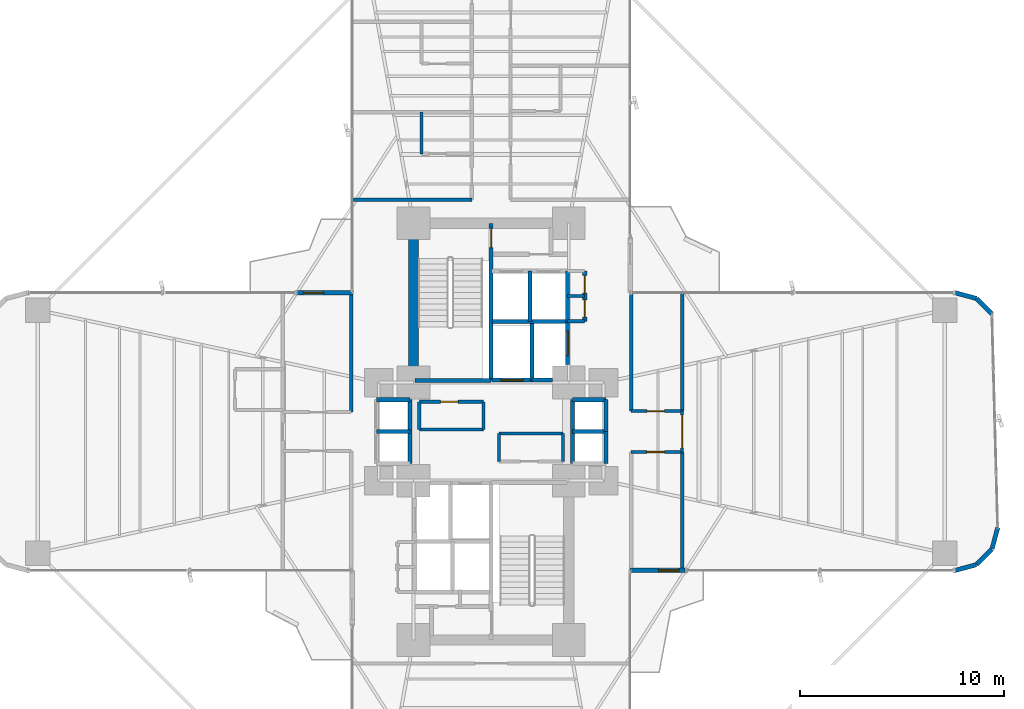
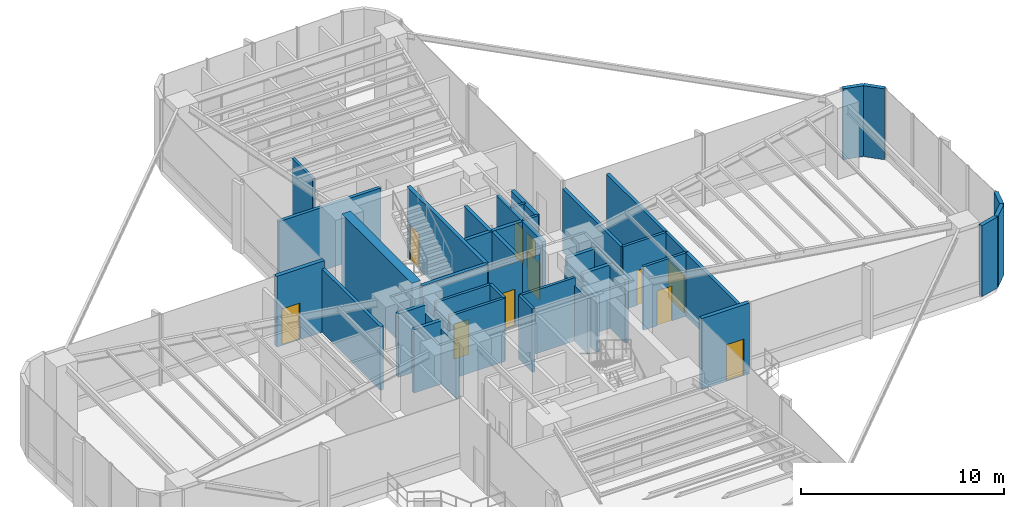
# One storey, part 17 of 20: 44 walls, 11 doors, 11 openings.
"""IFC4 building model written with IfcOpenShell, lengths in metres."""

from ifc_helpers import new_model, si_unit, direction, frame, frame_2d, origin, origin_2d, place, context, subcontext, project, spatial, rectangle, extrude, source, transform, mapped, material, layer, layer_set, type_object, element, fill, save


model = new_model("IFC4")

# Units and contexts
model_context = context("Model", 3, precision=1e-05, world=origin(), true_north=direction((0.0, 1.0)))
body_context = subcontext(model_context, "Body", "Model", "MODEL_VIEW")
ifc_project = project(units=[si_unit("LENGTHUNIT", "METRE"), si_unit("AREAUNIT", "SQUARE_METRE"), si_unit("VOLUMEUNIT", "CUBIC_METRE"), si_unit("PLANEANGLEUNIT", "RADIAN"), si_unit("MASSUNIT", "GRAM", prefix="KILO")], contexts=[model_context])

# Site, building, storey
site_placement = place(None, origin())
site = spatial("IfcSite", under=ifc_project, at=site_placement, CompositionType="ELEMENT")
building_placement = place(site_placement, origin())
building = spatial("IfcBuilding", under=site, at=building_placement, Name="Sahyath Konkavel Grand Hotel", CompositionType="ELEMENT")
storey_placement = place(building_placement, frame((0.0, 0.0, 46.550048828125)))
storey = spatial("IfcBuildingStorey", under=building, at=storey_placement, Name="L12", CompositionType="ELEMENT", Elevation=46.550048828125)

# Wall
ifc_material_1 = material(Name="Concrete C70/85", Category="concrete")
ifc_layer_1 = layer(ifc_material_1, 0.5)
ifc_layer_set_1 = layer_set([ifc_layer_1], Name="Concrete C70/85")
wall_type_1 = type_object("IfcWallType", Name="CWALL-500", PredefinedType="SHEAR", material=ifc_layer_set_1)
wall_1_placement = place(storey_placement, frame((-3.800048828125, 2.85009765625, 0.0), z_axis=(0.0, 0.0, 1.0), x_axis=(0.0, 1.0, 0.0)))
element("IfcWall", 1, at=wall_1_placement, inside=storey, type_object=wall_type_1, Name="L12 North Core Shear Wall W", PredefinedType="SHEAR", context=body_context, shape_type="SweptSolid", body=[
    extrude(rectangle(XDim=6.89990234375, YDim=0.5, at=frame_2d((3.449951171875, 0.0))), origin(), (0.0, 0.0, 1.0), 4.260009765625),
])

# Wall, opening, door
ifc_material_2 = material(Name="Warm Buff Sandstone Insulated Concrete C40/50", Category="masonry")
ifc_layer_2 = layer(ifc_material_2, 0.219970703125)
ifc_layer_set_2 = layer_set([ifc_layer_2], Name="Warm Buff Sandstone Insulated Concrete C40/50")
wall_type_2 = type_object("IfcWallType", Name="WLL-BALC-THRESH", PredefinedType="STANDARD", material=ifc_layer_set_2)
wall_2_placement = place(storey_placement, frame((6.800048828125, -6.800048828125, 0.0), z_axis=(0.0, 0.0, 1.0), x_axis=(1.0, 0.0, 0.0)))
wall_2 = element("IfcWall", 2, at=wall_2_placement, inside=storey, type_object=wall_type_2, Name="L12 Winter-Garden Threshold Wall 0", PredefinedType="STANDARD", context=body_context, shape_type="SweptSolid", body=[
    extrude(rectangle(XDim=2.699951171875, YDim=0.219970703125, at=frame_2d((1.35009765625, 0.0))), origin(), (0.0, 0.0, 1.0), 4.260009765625),
])
opening_1_placement = place(wall_2_placement, frame((1.39990234375, 0.0, 0.0)))
opening_1 = element("IfcOpeningElement", 3, at=opening_1_placement, cuts=wall_2, Name="Opening D-TR1", PredefinedType="OPENING", context=body_context, shape_type="SweptSolid", body=[
    extrude(rectangle(XDim=1.0, YDim=2.199951171875, at=frame_2d((0.5, 1.10009765625))), frame((0.0, 0.1201171875, 0.0), z_axis=(0.0, -1.0, 0.0), x_axis=(1.0, 0.0, 0.0)), (0.0, 0.0, 1.0), 0.239990234375),
])
ifc_material_3 = material(Name="Anodised Bronze Aluminium & Low-E Glazing", Category="aluminium")
door_type_1 = type_object("IfcDoorType", Name="DR-TERRACE-1000", OperationType="NOTDEFINED", PredefinedType="DOOR", material=ifc_material_3)
shared_shape_1 = source(origin(), body_context, "Body", "SweptSolid", [
    extrude(rectangle(XDim=1.0, YDim=0.050048828125, at=origin_2d()), origin(), (0.0, 0.0, 1.0), 2.199951171875),
])
door_1_placement = place(opening_1_placement, frame((0.5, 0.0, 0.0)))
door_1 = element("IfcDoor", 4, at=door_1_placement, inside=storey, type_object=door_type_1, Name="L12 Winter-Garden Terrace Door 0", OperationType="SINGLE_SWING_LEFT", OverallHeight=2.199951171875, OverallWidth=1.0, PredefinedType="DOOR", context=body_context, shape_type="MappedRepresentation", body=[
    mapped(shared_shape_1, transform((0.0, 0.0, 0.0), scale=1.0)),
])
fill(opening_1, door_1)

# Walls
for number, where, z_axis, x_axis, name in (
    (5, (22.699951171875, -6.800048828125, 0.0), (0.0, 0.0, 1.0), (0.965951058412, 0.25872485917, 0.0), "L12 Rounded Corner Sandstone Pier 1"),
    (6, (23.75, -6.518798828125, 0.0), (0.0, 0.0, 1.0), (0.707106781187, 0.707106781187, 0.0), "L12 Rounded Corner Sandstone Pier 2"),
    (7, (24.518798828125, -5.75, 0.0), (0.0, 0.0, 1.0), (0.25872485917, 0.965951058412, 0.0), "L12 Rounded Corner Sandstone Pier 3"),
    (8, (24.518798828125, 5.75, 0.0), (0.0, 0.0, 1.0), (-0.707106781187, 0.707106781187, 0.0), "L12 Rounded Corner Sandstone Pier 5"),
    (9, (23.75, 6.518798828125, 0.0), (0.0, 0.0, 1.0), (-0.965951058412, 0.25872485917, 0.0), "L12 Rounded Corner Sandstone Pier 6"),
):
    element("IfcWall", number, at=place(storey_placement, frame(where, z_axis=z_axis, x_axis=x_axis)), inside=storey, type_object=wall_type_2, Name=name, PredefinedType="STANDARD", context=body_context, shape_type="SweptSolid", body=[
        extrude(rectangle(XDim=1.087158203125, YDim=0.219970703125, at=frame_2d((0.54345703125, 0.0))), origin(), (0.0, 0.0, 1.0), 4.260009765625),
    ])

# Wall, opening, door
wall_3_placement = place(storey_placement, frame((-6.800048828125, 6.800048828125, 0.0), z_axis=(0.0, 0.0, 1.0), x_axis=(-1.0, 0.0, 0.0)))
wall_3 = element("IfcWall", 10, at=wall_3_placement, inside=storey, type_object=wall_type_2, Name="L12 Winter-Garden Threshold Wall 16", PredefinedType="STANDARD", context=body_context, shape_type="SweptSolid", body=[
    extrude(rectangle(XDim=2.699951171875, YDim=0.219970703125, at=frame_2d((1.35009765625, 0.0))), origin(), (0.0, 0.0, 1.0), 4.260009765625),
])
opening_2_placement = place(wall_3_placement, frame((1.39990234375, 0.0, 0.0)))
opening_2 = element("IfcOpeningElement", 11, at=opening_2_placement, cuts=wall_3, Name="Opening D-TR1", PredefinedType="OPENING", context=body_context, shape_type="SweptSolid", body=[
    extrude(rectangle(XDim=1.0, YDim=2.199951171875, at=frame_2d((0.5, 1.10009765625))), frame((0.0, 0.1201171875, 0.0), z_axis=(0.0, -1.0, 0.0), x_axis=(1.0, 0.0, 0.0)), (0.0, 0.0, 1.0), 0.239990234375),
])
door_2_placement = place(opening_2_placement, frame((0.5, 0.0, 0.0)))
door_2 = element("IfcDoor", 12, at=door_2_placement, inside=storey, type_object=door_type_1, Name="L12 Winter-Garden Terrace Door 16", OperationType="SINGLE_SWING_LEFT", OverallHeight=2.199951171875, OverallWidth=1.0, PredefinedType="DOOR", context=body_context, shape_type="MappedRepresentation", body=[
    mapped(shared_shape_1, transform((0.0, 0.0, 0.0), scale=1.0)),
])
fill(opening_2, door_2)

ifc_material_4 = material(Name="Concrete C40/50", Category="concrete")
ifc_layer_3 = layer(ifc_material_4, 0.199951171875)
ifc_layer_set_3 = layer_set([ifc_layer_3], Name="Concrete C40/50")
wall_type_3 = type_object("IfcWallType", Name="WLL-CORE-200", PredefinedType="SOLIDWALL", material=ifc_layer_set_3)
wall_4_placement = place(storey_placement, frame((0.0, 2.5, 0.0), z_axis=(0.0, 0.0, 1.0), x_axis=(0.0, 1.0, 0.0)))
wall_4 = element("IfcWall", 13, at=wall_4_placement, inside=storey, type_object=wall_type_3, Name="L12 Stair ST-1 Shaft Wall E", PredefinedType="SOLIDWALL", context=body_context, shape_type="SweptSolid", body=[
    extrude(rectangle(XDim=7.679931640625, YDim=0.199951171875, at=frame_2d((3.83984375, 0.0))), origin(), (0.0, 0.0, 1.0), 4.260009765625),
])
opening_3_placement = place(wall_4_placement, frame((6.5, 0.0, 0.0)))
opening_3 = element("IfcOpeningElement", 14, at=opening_3_placement, cuts=wall_4, Name="Opening D-F12C", PredefinedType="OPENING", context=body_context, shape_type="SweptSolid", body=[
    extrude(rectangle(XDim=0.949951171875, YDim=2.14990234375, at=frame_2d((0.47509765625, 1.074951171875))), frame((0.0, 0.10986328125, 0.0), z_axis=(0.0, -1.0, 0.0), x_axis=(1.0, 0.0, 0.0)), (0.0, 0.0, 1.0), 0.219970703125),
])
ifc_material_5 = material(Name="Steel E350 Plant Fire Door", Category="steel")
door_type_2 = type_object("IfcDoorType", Name="DR-FD120-950", OperationType="NOTDEFINED", PredefinedType="DOOR", material=ifc_material_5)
shared_shape_2 = source(origin(), body_context, "Body", "SweptSolid", [
    extrude(rectangle(XDim=0.949951171875, YDim=0.050048828125, at=origin_2d()), origin(), (0.0, 0.0, 1.0), 2.14990234375),
])
door_3_placement = place(opening_3_placement, frame((0.47509765625, 0.0, 0.0)))
door_3 = element("IfcDoor", 15, at=door_3_placement, inside=storey, type_object=door_type_2, Name="L12 Stair ST-1 Fire Door", OperationType="SINGLE_SWING_RIGHT", OverallHeight=2.14990234375, OverallWidth=0.949951171875, PredefinedType="DOOR", context=body_context, shape_type="MappedRepresentation", body=[
    mapped(shared_shape_2, transform((0.0, 0.0, 0.0), scale=1.0)),
])
fill(opening_3, door_3)

# Walls
wall_5_placement = place(storey_placement, frame((-3.719970703125, 2.5, 0.0), z_axis=(0.0, 0.0, 1.0), x_axis=(1.0, 0.0, 0.0)))
element("IfcWall", 16, at=wall_5_placement, inside=storey, type_object=wall_type_3, Name="L12 Stair ST-1 Shaft Wall S", PredefinedType="SOLIDWALL", context=body_context, shape_type="SweptSolid", body=[
    extrude(rectangle(XDim=3.719970703125, YDim=0.199951171875, at=frame_2d((1.85986328125, 0.0))), origin(), (0.0, 0.0, 1.0), 4.260009765625),
])
wall_6_placement = place(storey_placement, frame((2.0, 2.5, 0.0), z_axis=(0.0, 0.0, 1.0), x_axis=(0.0, 1.0, 0.0)))
element("IfcWall", 17, at=wall_6_placement, inside=storey, type_object=wall_type_3, Name="L12 Partition SH-FFL1-E", PredefinedType="SOLIDWALL", context=body_context, shape_type="SweptSolid", body=[
    extrude(rectangle(XDim=2.780029296875, YDim=0.199951171875, at=frame_2d((1.39013671875, 0.0))), origin(), (0.0, 0.0, 1.0), 3.81005859375),
])

# Wall, opening, door
wall_7_placement = place(storey_placement, frame((0.050048828125, 2.52001953125, 0.0), z_axis=(0.0, 0.0, 1.0), x_axis=(1.0, 0.0, 0.0)))
wall_7 = element("IfcWall", 18, at=wall_7_placement, inside=storey, type_object=wall_type_3, Name="L12 Partition SH-FFL1-S", PredefinedType="SOLIDWALL", context=body_context, shape_type="SweptSolid", body=[
    extrude(rectangle(XDim=1.949951171875, YDim=0.199951171875, at=frame_2d((0.97509765625, 0.0))), origin(), (0.0, 0.0, 1.0), 3.81005859375),
])
opening_4_placement = place(wall_7_placement, frame((0.419921875, 0.0, 0.0)))
opening_4 = element("IfcOpeningElement", 19, at=opening_4_placement, cuts=wall_7, Name="Opening LD-11", PredefinedType="OPENING", context=body_context, shape_type="SweptSolid", body=[
    extrude(rectangle(XDim=1.10009765625, YDim=2.199951171875, at=frame_2d((0.550048828125, 1.10009765625))), frame((0.0, 0.10986328125, 0.0), z_axis=(0.0, -1.0, 0.0), x_axis=(1.0, 0.0, 0.0)), (0.0, 0.0, 1.0), 0.219970703125),
])
ifc_material_6 = material(Name="Bronze Lift Landing Door 1100")
door_type_3 = type_object("IfcDoorType", Name="DR-LIFT-1100", OperationType="DOUBLE_DOOR_SLIDING", PredefinedType="DOOR", material=ifc_material_6)
shared_shape_3 = source(origin(), body_context, "Body", "SweptSolid", [
    extrude(rectangle(XDim=1.10009765625, YDim=0.050048828125, at=origin_2d()), origin(), (0.0, 0.0, 1.0), 2.199951171875),
])
door_4_placement = place(opening_4_placement, frame((0.550048828125, 0.0, 0.0)))
door_4 = element("IfcDoor", 20, at=door_4_placement, inside=storey, type_object=door_type_3, Name="L12 Lift FFL-1 Landing Door", OperationType="DOUBLE_DOOR_SLIDING", OverallHeight=2.199951171875, OverallWidth=1.10009765625, PredefinedType="DOOR", context=body_context, shape_type="MappedRepresentation", body=[
    mapped(shared_shape_3, transform((0.0, 0.0, 0.0), scale=1.0)),
])
fill(opening_4, door_4)

# Wall
wall_8_placement = place(storey_placement, frame((2.0, 2.52001953125, 0.0), z_axis=(0.0, 0.0, 1.0), x_axis=(1.0, 0.0, 0.0)))
element("IfcWall", 21, at=wall_8_placement, inside=storey, type_object=wall_type_3, Name="L12 Partition SH-SVL1-S", PredefinedType="SOLIDWALL", context=body_context, shape_type="SweptSolid", body=[
    extrude(rectangle(XDim=1.0, YDim=0.199951171875, at=frame_2d((0.5, 0.0))), origin(), (0.0, 0.0, 1.0), 3.81005859375),
])

# Wall, opening, door
wall_9_placement = place(storey_placement, frame((3.739990234375, 3.280029296875, 0.0), z_axis=(0.0, 0.0, 1.0), x_axis=(0.0, 1.0, 0.0)))
wall_9 = element("IfcWall", 22, at=wall_9_placement, inside=storey, type_object=wall_type_3, Name="L12 Partition SH-SVL1-E", PredefinedType="SOLIDWALL", context=body_context, shape_type="SweptSolid", body=[
    extrude(rectangle(XDim=2.080078125, YDim=0.199951171875, at=frame_2d((1.0400390625, 0.0))), origin(), (0.0, 0.0, 1.0), 3.81005859375),
])
opening_5_placement = place(wall_9_placement, frame((0.43994140625, 0.0, 0.0)))
opening_5 = element("IfcOpeningElement", 23, at=opening_5_placement, cuts=wall_9, Name="Opening LD-12", PredefinedType="OPENING", context=body_context, shape_type="SweptSolid", body=[
    extrude(rectangle(XDim=1.199951171875, YDim=2.199951171875, at=frame_2d((0.60009765625, 1.10009765625))), frame((0.0, 0.10986328125, 0.0), z_axis=(0.0, -1.0, 0.0), x_axis=(1.0, 0.0, 0.0)), (0.0, 0.0, 1.0), 0.219970703125),
])
ifc_material_7 = material(Name="Stainless Steel Lift Landing Door 1200", Category="steel")
door_type_4 = type_object("IfcDoorType", Name="DR-LIFT-1200", OperationType="DOUBLE_DOOR_SLIDING", PredefinedType="DOOR", material=ifc_material_7)
shared_shape_4 = source(origin(), body_context, "Body", "SweptSolid", [
    extrude(rectangle(XDim=1.199951171875, YDim=0.050048828125, at=origin_2d()), origin(), (0.0, 0.0, 1.0), 2.199951171875),
])
door_5_placement = place(opening_5_placement, frame((0.60009765625, 0.0, 0.0)))
door_5 = element("IfcDoor", 24, at=door_5_placement, inside=storey, type_object=door_type_4, Name="L12 Service Lift SVL-1 Landing Door", OperationType="DOUBLE_DOOR_SLIDING", OverallHeight=2.199951171875, OverallWidth=1.199951171875, PredefinedType="DOOR", context=body_context, shape_type="MappedRepresentation", body=[
    mapped(shared_shape_4, transform((0.0, 0.0, 0.0), scale=1.0)),
])
fill(opening_5, door_5)

# Walls
wall_10_placement = place(storey_placement, frame((0.050048828125, 5.3798828125, 0.0), z_axis=(0.0, 0.0, 1.0), x_axis=(1.0, 0.0, 0.0)))
element("IfcWall", 25, at=wall_10_placement, inside=storey, type_object=wall_type_3, Name="L12 Partition SH-PL12-S", PredefinedType="SOLIDWALL", context=body_context, shape_type="SweptSolid", body=[
    extrude(rectangle(XDim=3.68994140625, YDim=0.199951171875, at=frame_2d((1.844970703125, 0.0))), origin(), (0.0, 0.0, 1.0), 3.81005859375),
])
for number, where, z_axis, x_axis, name in (
    (26, (1.89990234375, 5.3798828125, 0.0), (0.0, 0.0, 1.0), (0.0, 1.0, 0.0), "L12 Partition SH-PL12-M"),
    (27, (3.739990234375, 5.3798828125, 0.0), (0.0, 0.0, 1.0), (0.0, 1.0, 0.0), "L12 Partition SH-PL2-E"),
):
    element("IfcWall", number, at=place(storey_placement, frame(where, z_axis=z_axis, x_axis=x_axis)), inside=storey, type_object=wall_type_3, Name=name, PredefinedType="SOLIDWALL", context=body_context, shape_type="SweptSolid", body=[
        extrude(rectangle(XDim=2.480224609375, YDim=0.199951171875, at=frame_2d((1.240234375, 0.0))), origin(), (0.0, 0.0, 1.0), 3.81005859375),
    ])
wall_11_placement = place(storey_placement, frame((3.97998046875, -1.56005859375, 0.0), z_axis=(0.0, 0.0, 1.0), x_axis=(0.0, 1.0, 0.0)))
element("IfcWall", 28, at=wall_11_placement, inside=storey, type_object=wall_type_3, Name="L12 Partition SH-PL56-W", PredefinedType="SOLIDWALL", context=body_context, shape_type="SweptSolid", body=[
    extrude(rectangle(XDim=3.1201171875, YDim=0.199951171875, at=frame_2d((1.56005859375, 0.0))), origin(), (0.0, 0.0, 1.0), 3.329833984375),
])
for number, where, z_axis, x_axis, name in (
    (29, (3.97998046875, 1.56005859375, 0.0), (0.0, 0.0, 1.0), (1.0, 0.0, 0.0), "L12 Partition SH-PL56-N"),
    (30, (3.97998046875, 0.0, 0.0), (0.0, 0.0, 1.0), (1.0, 0.0, 0.0), "L12 Partition SH-PL56-M"),
):
    element("IfcWall", number, at=place(storey_placement, frame(where, z_axis=z_axis, x_axis=x_axis)), inside=storey, type_object=wall_type_3, Name=name, PredefinedType="SOLIDWALL", context=body_context, shape_type="SweptSolid", body=[
        extrude(rectangle(XDim=1.64013671875, YDim=0.199951171875, at=frame_2d((0.820068359375, 0.0))), origin(), (0.0, 0.0, 1.0), 3.81005859375),
    ])
for number, where, z_axis, x_axis, name in (
    (31, (5.6201171875, 0.0, 0.0), (0.0, 0.0, 1.0), (0.0, 1.0, 0.0), "L12 Partition SH-PL5-E"),
    (32, (5.6201171875, -1.56005859375, 0.0), (0.0, 0.0, 1.0), (0.0, 1.0, 0.0), "L12 Partition SH-PL6-E"),
):
    element("IfcWall", number, at=place(storey_placement, frame(where, z_axis=z_axis, x_axis=x_axis)), inside=storey, type_object=wall_type_3, Name=name, PredefinedType="SOLIDWALL", context=body_context, shape_type="SweptSolid", body=[
        extrude(rectangle(XDim=1.56005859375, YDim=0.199951171875, at=frame_2d((0.780029296875, 0.0))), origin(), (0.0, 0.0, 1.0), 3.81005859375),
    ])
wall_12_placement = place(storey_placement, frame((-3.97998046875, -1.56005859375, 0.0), z_axis=(0.0, 0.0, 1.0), x_axis=(0.0, 1.0, 0.0)))
element("IfcWall", 33, at=wall_12_placement, inside=storey, type_object=wall_type_3, Name="L12 Partition SH-SL12-E", PredefinedType="SOLIDWALL", context=body_context, shape_type="SweptSolid", body=[
    extrude(rectangle(XDim=3.1201171875, YDim=0.199951171875, at=frame_2d((1.56005859375, 0.0))), origin(), (0.0, 0.0, 1.0), 3.329833984375),
])
for number, where, z_axis, x_axis, name in (
    (34, (-5.6201171875, 1.56005859375, 0.0), (0.0, 0.0, 1.0), (1.0, 0.0, 0.0), "L12 Partition SH-SL12-N"),
    (35, (-5.6201171875, 0.0, 0.0), (0.0, 0.0, 1.0), (1.0, 0.0, 0.0), "L12 Partition SH-SL12-M"),
):
    element("IfcWall", number, at=place(storey_placement, frame(where, z_axis=z_axis, x_axis=x_axis)), inside=storey, type_object=wall_type_3, Name=name, PredefinedType="SOLIDWALL", context=body_context, shape_type="SweptSolid", body=[
        extrude(rectangle(XDim=1.64013671875, YDim=0.199951171875, at=frame_2d((0.820068359375, 0.0))), origin(), (0.0, 0.0, 1.0), 3.81005859375),
    ])

# Wall, openings, doors
wall_13_placement = place(storey_placement, frame((4.580078125, 5.39990234375, 0.0), z_axis=(0.0, 0.0, 1.0), x_axis=(0.0, 1.0, 0.0)))
wall_13 = element("IfcWall", 36, at=wall_13_placement, inside=storey, type_object=wall_type_3, Name="L12 Partition NC-FLK-E", PredefinedType="SOLIDWALL", context=body_context, shape_type="SweptSolid", body=[
    extrude(rectangle(XDim=2.460205078125, YDim=0.199951171875, at=frame_2d((1.22998046875, 0.0))), origin(), (0.0, 0.0, 1.0), 3.81005859375),
])
opening_6_placement = place(wall_13_placement, frame((0.199951171875, 0.0, 0.0)))
opening_6 = element("IfcOpeningElement", 37, at=opening_6_placement, cuts=wall_13, Name="Opening D-F06D", PredefinedType="OPENING", context=body_context, shape_type="SweptSolid", body=[
    extrude(rectangle(XDim=0.85009765625, YDim=2.10009765625, at=frame_2d((0.425048828125, 1.050048828125))), frame((0.0, 0.10986328125, 0.0), z_axis=(0.0, -1.0, 0.0), x_axis=(1.0, 0.0, 0.0)), (0.0, 0.0, 1.0), 0.219970703125),
])
opening_7_placement = place(wall_13_placement, frame((1.3798828125, 0.0, 0.0)))
opening_7 = element("IfcOpeningElement", 38, at=opening_7_placement, cuts=wall_13, Name="Opening D-F06D", PredefinedType="OPENING", context=body_context, shape_type="SweptSolid", body=[
    extrude(rectangle(XDim=0.85009765625, YDim=2.10009765625, at=frame_2d((0.425048828125, 1.050048828125))), frame((0.0, 0.10986328125, 0.0), z_axis=(0.0, -1.0, 0.0), x_axis=(1.0, 0.0, 0.0)), (0.0, 0.0, 1.0), 0.219970703125),
])
ifc_material_8 = material(Name="Fire-Rated Shaft Access Door")
door_type_5 = type_object("IfcDoorType", Name="DR-FD60-850", OperationType="NOTDEFINED", PredefinedType="DOOR", material=ifc_material_8)
shared_shape_5 = source(origin(), body_context, "Body", "SweptSolid", [
    extrude(rectangle(XDim=0.85009765625, YDim=0.050048828125, at=origin_2d()), origin(), (0.0, 0.0, 1.0), 2.10009765625),
])
door_6_placement = place(opening_6_placement, frame((0.425048828125, 0.0, 0.0)))
door_6 = element("IfcDoor", 39, at=door_6_placement, inside=storey, type_object=door_type_5, Name="L12 Door NC-FLK1-D", OperationType="SINGLE_SWING_LEFT", OverallHeight=2.10009765625, OverallWidth=0.85009765625, PredefinedType="DOOR", context=body_context, shape_type="MappedRepresentation", body=[
    mapped(shared_shape_5, transform((0.0, 0.0, 0.0), scale=1.0)),
])
fill(opening_6, door_6)
door_7_placement = place(opening_7_placement, frame((0.425048828125, 0.0, 0.0)))
door_7 = element("IfcDoor", 40, at=door_7_placement, inside=storey, type_object=door_type_5, Name="L12 Door NC-FLK2-D", OperationType="SINGLE_SWING_RIGHT", OverallHeight=2.10009765625, OverallWidth=0.85009765625, PredefinedType="DOOR", context=body_context, shape_type="MappedRepresentation", body=[
    mapped(shared_shape_5, transform((0.0, 0.0, 0.0), scale=1.0)),
])
fill(opening_7, door_7)

# Walls
ifc_material_9 = material(Name="Twin-Stud Acoustic Gypsum Plasterboard Partition")
ifc_layer_4 = layer(ifc_material_9, 0.179931640625)
ifc_layer_set_4 = layer_set([ifc_layer_4], Name="Twin-Stud Acoustic Gypsum Plasterboard Partition")
wall_type_4 = type_object("IfcWallType", Name="WLL-DEMISE-180", PredefinedType="PARTITIONING", material=ifc_layer_set_4)
for number, where, z_axis, x_axis, name in (
    (41, (6.85009765625, 1.0, 0.0), (0.0, 0.0, 1.0), (0.0, 1.0, 0.0), "L12 Partition E-I0L"),
    (42, (9.35009765625, -1.0, 0.0), (0.0, 0.0, 1.0), (0.0, -1.0, 0.0), "L12 Partition E-EHK0-DEM"),
    (43, (9.35009765625, 1.0, 0.0), (0.0, 0.0, 1.0), (0.0, 1.0, 0.0), "L12 Partition E-EST0-DEM"),
):
    element("IfcWall", number, at=place(storey_placement, frame(where, z_axis=z_axis, x_axis=x_axis)), inside=storey, type_object=wall_type_4, Name=name, PredefinedType="PARTITIONING", context=body_context, shape_type="SweptSolid", body=[
        extrude(rectangle(XDim=5.75, YDim=0.179931640625, at=frame_2d((2.875, 0.0))), origin(), (0.0, 0.0, 1.0), 3.81005859375),
    ])
for number, where, z_axis, x_axis, name in (
    (44, (-0.949951171875, 11.35009765625, 0.0), (0.0, 0.0, 1.0), (-1.0, 0.0, 0.0), "L12 Partition N-INL"),
    (45, (-6.85009765625, 6.75, 0.0), (0.0, 0.0, 1.0), (0.0, -1.0, 0.0), "L12 Partition W-INR"),
):
    element("IfcWall", number, at=place(storey_placement, frame(where, z_axis=z_axis, x_axis=x_axis)), inside=storey, type_object=wall_type_4, Name=name, PredefinedType="PARTITIONING", context=body_context, shape_type="SweptSolid", body=[
        extrude(rectangle(XDim=5.800048828125, YDim=0.179931640625, at=frame_2d((2.89990234375, 0.0))), origin(), (0.0, 0.0, 1.0), 3.81005859375),
    ])
ifc_material_10 = material(Name="Fire-Rated Gypsum Plasterboard Partition")
ifc_layer_5 = layer(ifc_material_10, 0.14990234375)
ifc_layer_set_5 = layer_set([ifc_layer_5], Name="Fire-Rated Gypsum Plasterboard Partition")
wall_type_5 = type_object("IfcWallType", Name="WLL-PART-150", PredefinedType="PARTITIONING", material=ifc_layer_set_5)
for number, where, z_axis, x_axis, name in (
    (46, (3.739990234375, 5.39990234375, 0.0), (0.0, 0.0, 1.0), (1.0, 0.0, 0.0), "L12 Partition NC-FLK-S"),
    (47, (3.739990234375, 6.6298828125, 0.0), (0.0, 0.0, 1.0), (1.0, 0.0, 0.0), "L12 Partition NC-FLK-M"),
):
    element("IfcWall", number, at=place(storey_placement, frame(where, z_axis=z_axis, x_axis=x_axis)), inside=storey, type_object=wall_type_5, Name=name, PredefinedType="PARTITIONING", context=body_context, shape_type="SweptSolid", body=[
        extrude(rectangle(XDim=0.840087890625, YDim=0.14990234375, at=frame_2d((0.419921875, 0.0))), origin(), (0.0, 0.0, 1.0), 3.81005859375),
    ])
wall_14_placement = place(storey_placement, frame((-3.52001953125, 0.10009765625, 0.0), z_axis=(0.0, 0.0, 1.0), x_axis=(1.0, 0.0, 0.0)))
element("IfcWall", 48, at=wall_14_placement, inside=storey, type_object=wall_type_5, Name="L12 Partition CC-3NWS", PredefinedType="PARTITIONING", context=body_context, shape_type="SweptSolid", body=[
    extrude(rectangle(XDim=3.14013671875, YDim=0.14990234375, at=frame_2d((1.570068359375, 0.0))), origin(), (0.0, 0.0, 1.0), 3.81005859375),
])

# Wall, opening, door
wall_15_placement = place(storey_placement, frame((-3.52001953125, 1.4599609375, 0.0), z_axis=(0.0, 0.0, 1.0), x_axis=(1.0, 0.0, 0.0)))
wall_15 = element("IfcWall", 49, at=wall_15_placement, inside=storey, type_object=wall_type_5, Name="L12 Partition CC-3NWN", PredefinedType="PARTITIONING", context=body_context, shape_type="SweptSolid", body=[
    extrude(rectangle(XDim=3.14013671875, YDim=0.14990234375, at=frame_2d((1.570068359375, 0.0))), origin(), (0.0, 0.0, 1.0), 3.81005859375),
])
opening_8_placement = place(wall_15_placement, frame((1.050048828125, 0.0, 0.0)))
opening_8 = element("IfcOpeningElement", 50, at=opening_8_placement, cuts=wall_15, Name="Opening D-F06D", PredefinedType="OPENING", context=body_context, shape_type="SweptSolid", body=[
    extrude(rectangle(XDim=0.85009765625, YDim=2.10009765625, at=frame_2d((0.425048828125, 1.050048828125))), frame((0.0, 0.0849609375, 0.0), z_axis=(0.0, -1.0, 0.0), x_axis=(1.0, 0.0, 0.0)), (0.0, 0.0, 1.0), 0.169921875),
])
door_8_placement = place(opening_8_placement, frame((0.425048828125, 0.0, 0.0)))
door_8 = element("IfcDoor", 51, at=door_8_placement, inside=storey, type_object=door_type_5, Name="L12 Door CC-D3NW", OperationType="SINGLE_SWING_LEFT", OverallHeight=2.10009765625, OverallWidth=0.85009765625, PredefinedType="DOOR", context=body_context, shape_type="MappedRepresentation", body=[
    mapped(shared_shape_5, transform((0.0, 0.0, 0.0), scale=1.0)),
])
fill(opening_8, door_8)

# Walls
wall_16_placement = place(storey_placement, frame((-3.52001953125, 0.10009765625, 0.0), z_axis=(0.0, 0.0, 1.0), x_axis=(0.0, 1.0, 0.0)))
element("IfcWall", 52, at=wall_16_placement, inside=storey, type_object=wall_type_5, Name="L12 Partition CC-3NWW", PredefinedType="PARTITIONING", context=body_context, shape_type="SweptSolid", body=[
    extrude(rectangle(XDim=1.35986328125, YDim=0.14990234375, at=frame_2d((0.679931640625, 0.0))), origin(), (0.0, 0.0, 1.0), 3.329833984375),
])
wall_17_placement = place(storey_placement, frame((-0.3798828125, 0.10009765625, 0.0), z_axis=(0.0, 0.0, 1.0), x_axis=(0.0, 1.0, 0.0)))
element("IfcWall", 53, at=wall_17_placement, inside=storey, type_object=wall_type_5, Name="L12 Partition CC-3NWE", PredefinedType="PARTITIONING", context=body_context, shape_type="SweptSolid", body=[
    extrude(rectangle(XDim=1.35986328125, YDim=0.14990234375, at=frame_2d((0.679931640625, 0.0))), origin(), (0.0, 0.0, 1.0), 3.81005859375),
])
wall_18_placement = place(storey_placement, frame((0.3798828125, -0.10009765625, 0.0), z_axis=(0.0, 0.0, 1.0), x_axis=(1.0, 0.0, 0.0)))
element("IfcWall", 54, at=wall_18_placement, inside=storey, type_object=wall_type_5, Name="L12 Partition CC-3SEN", PredefinedType="PARTITIONING", context=body_context, shape_type="SweptSolid", body=[
    extrude(rectangle(XDim=3.14013671875, YDim=0.14990234375, at=frame_2d((1.570068359375, 0.0))), origin(), (0.0, 0.0, 1.0), 3.81005859375),
])
wall_19_placement = place(storey_placement, frame((0.3798828125, -1.4599609375, 0.0), z_axis=(0.0, 0.0, 1.0), x_axis=(0.0, 1.0, 0.0)))
element("IfcWall", 55, at=wall_19_placement, inside=storey, type_object=wall_type_5, Name="L12 Partition CC-3SEW", PredefinedType="PARTITIONING", context=body_context, shape_type="SweptSolid", body=[
    extrude(rectangle(XDim=1.35986328125, YDim=0.14990234375, at=frame_2d((0.679931640625, 0.0))), origin(), (0.0, 0.0, 1.0), 3.81005859375),
])
wall_20_placement = place(storey_placement, frame((3.52001953125, -1.4599609375, 0.0), z_axis=(0.0, 0.0, 1.0), x_axis=(0.0, 1.0, 0.0)))
element("IfcWall", 56, at=wall_20_placement, inside=storey, type_object=wall_type_5, Name="L12 Partition CC-3SEE", PredefinedType="PARTITIONING", context=body_context, shape_type="SweptSolid", body=[
    extrude(rectangle(XDim=1.35986328125, YDim=0.14990234375, at=frame_2d((0.679931640625, 0.0))), origin(), (0.0, 0.0, 1.0), 3.329833984375),
])

# Wall, opening, door
wall_21_placement = place(storey_placement, frame((6.85009765625, 1.0, 0.0), z_axis=(0.0, 0.0, 1.0), x_axis=(1.0, 0.0, 0.0)))
wall_21 = element("IfcWall", 57, at=wall_21_placement, inside=storey, type_object=wall_type_5, Name="L12 Partition E-C0L", PredefinedType="PARTITIONING", context=body_context, shape_type="SweptSolid", body=[
    extrude(rectangle(XDim=2.5, YDim=0.14990234375, at=frame_2d((1.25, 0.0))), origin(), (0.0, 0.0, 1.0), 3.81005859375),
])
opening_9_placement = place(wall_21_placement, frame((0.77490234375, 0.0, 0.0)))
opening_9 = element("IfcOpeningElement", 58, at=opening_9_placement, cuts=wall_21, Name="Opening D-F06D", PredefinedType="OPENING", context=body_context, shape_type="SweptSolid", body=[
    extrude(rectangle(XDim=0.85009765625, YDim=2.10009765625, at=frame_2d((0.425048828125, 1.050048828125))), frame((0.0, 0.0849609375, 0.0), z_axis=(0.0, -1.0, 0.0), x_axis=(1.0, 0.0, 0.0)), (0.0, 0.0, 1.0), 0.169921875),
])
door_9_placement = place(opening_9_placement, frame((0.425048828125, 0.0, 0.0)))
door_9 = element("IfcDoor", 59, at=door_9_placement, inside=storey, type_object=door_type_5, Name="L12 Door E-EST0-D", OperationType="SINGLE_SWING_RIGHT", OverallHeight=2.10009765625, OverallWidth=0.85009765625, PredefinedType="DOOR", context=body_context, shape_type="MappedRepresentation", body=[
    mapped(shared_shape_5, transform((0.0, 0.0, 0.0), scale=1.0)),
])
fill(opening_9, door_9)

wall_22_placement = place(storey_placement, frame((6.85009765625, -1.0, 0.0), z_axis=(0.0, 0.0, 1.0), x_axis=(1.0, 0.0, 0.0)))
wall_22 = element("IfcWall", 60, at=wall_22_placement, inside=storey, type_object=wall_type_5, Name="L12 Partition E-C0R", PredefinedType="PARTITIONING", context=body_context, shape_type="SweptSolid", body=[
    extrude(rectangle(XDim=2.5, YDim=0.14990234375, at=frame_2d((1.25, 0.0))), origin(), (0.0, 0.0, 1.0), 3.81005859375),
])
opening_10_placement = place(wall_22_placement, frame((0.77490234375, 0.0, 0.0)))
opening_10 = element("IfcOpeningElement", 61, at=opening_10_placement, cuts=wall_22, Name="Opening D-F06D", PredefinedType="OPENING", context=body_context, shape_type="SweptSolid", body=[
    extrude(rectangle(XDim=0.85009765625, YDim=2.10009765625, at=frame_2d((0.425048828125, 1.050048828125))), frame((0.0, 0.0849609375, 0.0), z_axis=(0.0, -1.0, 0.0), x_axis=(1.0, 0.0, 0.0)), (0.0, 0.0, 1.0), 0.169921875),
])
door_10_placement = place(opening_10_placement, frame((0.425048828125, 0.0, 0.0)))
door_10 = element("IfcDoor", 62, at=door_10_placement, inside=storey, type_object=door_type_5, Name="L12 Door E-EHK0-D", OperationType="SINGLE_SWING_LEFT", OverallHeight=2.10009765625, OverallWidth=0.85009765625, PredefinedType="DOOR", context=body_context, shape_type="MappedRepresentation", body=[
    mapped(shared_shape_5, transform((0.0, 0.0, 0.0), scale=1.0)),
])
fill(opening_10, door_10)

wall_23_placement = place(storey_placement, frame((9.35009765625, -1.0, 0.0), z_axis=(0.0, 0.0, 1.0), x_axis=(0.0, 1.0, 0.0)))
wall_23 = element("IfcWall", 63, at=wall_23_placement, inside=storey, type_object=wall_type_5, Name="L12 Partition E-SAL-IN", PredefinedType="PARTITIONING", context=body_context, shape_type="SweptSolid", body=[
    extrude(rectangle(XDim=2.0, YDim=0.14990234375, at=frame_2d((1.0, 0.0))), origin(), (0.0, 0.0, 1.0), 3.81005859375),
])
opening_11_placement = place(wall_23_placement, frame((0.199951171875, 0.0, 0.0)))
opening_11 = element("IfcOpeningElement", 64, at=opening_11_placement, cuts=wall_23, Name="Opening D-DB16", PredefinedType="OPENING", context=body_context, shape_type="SweptSolid", body=[
    extrude(rectangle(XDim=1.60009765625, YDim=2.25, at=frame_2d((0.800048828125, 1.125))), frame((0.0, 0.0849609375, 0.0), z_axis=(0.0, -1.0, 0.0), x_axis=(1.0, 0.0, 0.0)), (0.0, 0.0, 1.0), 0.169921875),
])
ifc_material_11 = material(Name="Double Leaf Lounge Glazed Timber Door", Category="wood")
door_type_6 = type_object("IfcDoorType", Name="DR-DBL-1600", OperationType="DOUBLE_DOOR_SINGLE_SWING", PredefinedType="DOOR", material=ifc_material_11)
shared_shape_6 = source(origin(), body_context, "Body", "SweptSolid", [
    extrude(rectangle(XDim=1.60009765625, YDim=0.050048828125, at=origin_2d()), origin(), (0.0, 0.0, 1.0), 2.25),
])
door_11_placement = place(opening_11_placement, frame((0.800048828125, 0.0, 0.0)))
door_11 = element("IfcDoor", 65, at=door_11_placement, inside=storey, type_object=door_type_6, Name="L12 Door E-SAL-D", OperationType="DOUBLE_DOOR_SINGLE_SWING", OverallHeight=2.25, OverallWidth=1.60009765625, PredefinedType="DOOR", context=body_context, shape_type="MappedRepresentation", body=[
    mapped(shared_shape_6, transform((0.0, 0.0, 0.0), scale=1.0)),
])
fill(opening_11, door_11)

# Wall
wall_24_placement = place(storey_placement, frame((-3.39990234375, 13.60009765625, 0.0), z_axis=(0.0, 0.0, 1.0), x_axis=(0.0, 1.0, 0.0)))
element("IfcWall", 66, at=wall_24_placement, inside=storey, type_object=wall_type_5, Name="L12 Partition N-N1L-BF", PredefinedType="PARTITIONING", context=body_context, shape_type="SweptSolid", body=[
    extrude(rectangle(XDim=2.037841796875, YDim=0.14990234375, at=frame_2d((1.01904296875, 0.0))), origin(), (0.0, 0.0, 1.0), 3.81005859375),
])

save(model, "model.ifc")
